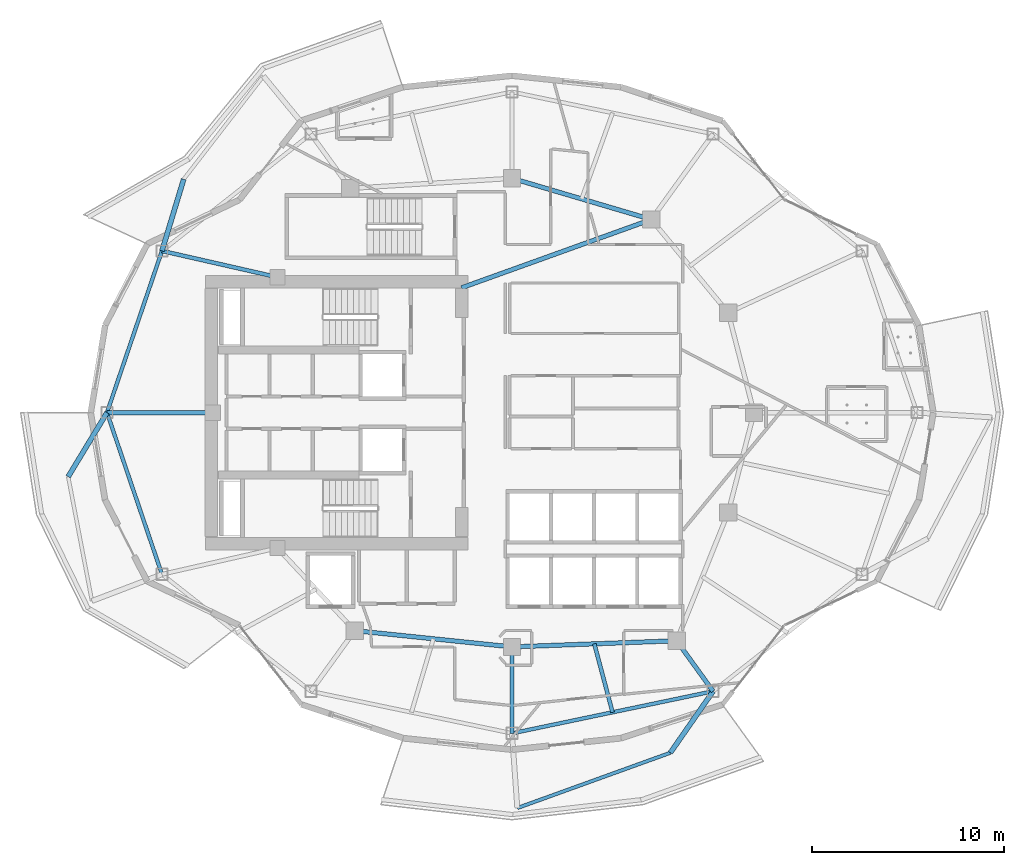
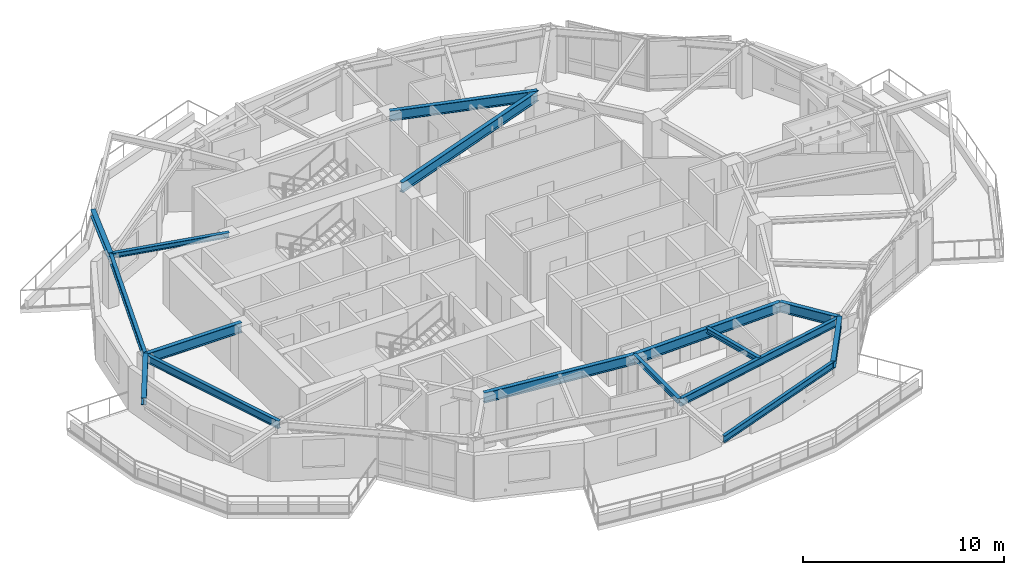
# One storey, part 3 of 19: 16 beams.
"""IFC4 building model written with IfcOpenShell, lengths in metres."""

from ifc_helpers import new_model, si_unit, direction, frame, origin, origin_2d, place, context, subcontext, project, spatial, i_section, extrude, material, material_profile, profile_set, type_object, element, save


model = new_model("IFC4")

# Units and contexts
model_context = context("Model", 3, precision=1e-05, world=origin(), true_north=direction((0.0, 1.0)))
body_context = subcontext(model_context, "Body", "Model", "MODEL_VIEW")
ifc_project = project(units=[si_unit("LENGTHUNIT", "METRE"), si_unit("AREAUNIT", "SQUARE_METRE"), si_unit("VOLUMEUNIT", "CUBIC_METRE"), si_unit("PLANEANGLEUNIT", "RADIAN"), si_unit("MASSUNIT", "GRAM", prefix="KILO")], contexts=[model_context])

# Site, building, storey
site_placement = place(None, origin())
site = spatial("IfcSite", under=ifc_project, at=site_placement, CompositionType="ELEMENT")
building_placement = place(site_placement, origin())
building = spatial("IfcBuilding", under=site, at=building_placement, Name="Kolvaren Gate Tower and Convention Centre", CompositionType="ELEMENT")
storey_placement = place(building_placement, frame((0.0, 0.0, 169.89990234375)))
storey = spatial("IfcBuildingStorey", under=building, at=storey_placement, Name="L44", CompositionType="ELEMENT", Elevation=169.89990234375)

# Beams
ifc_material = material(Name="Structural steel ASTM A992 Grade 345 MPa", Category="steel")
ifc_material_profile_1 = material_profile(ifc_material, i_section(OverallWidth=0.260009765625, OverallDepth=0.419921875, WebThickness=0.013427734375, FlangeThickness=0.0224609375, at=origin_2d()), Name="W410X132")
ifc_profile_set_1 = profile_set([ifc_material_profile_1], Name="Structural steel ASTM A992 Grade 345 MPa")
beam_type_1 = type_object("IfcBeamType", Name="STR-BM-W410X132", PredefinedType="BEAM", material=ifc_profile_set_1)
for number, where, z_axis, x_axis, name in (
    (1, (11.898193359375, 35.418701171875, 2.920654296875), (0.290155075149, 0.956979640518, 0.0), (-0.956979640518, 0.290155075149, 0.0), "Tower L45 Planted Balcony Outrigger Cantilever BC-1B"),
    (2, (9.03759765625, 27.0, 2.920654296875), (-0.51832946338, -0.855181014401, 0.0), (0.855181014401, -0.51832946338, 0.0), "Tower L45 Planted Balcony Outrigger Cantilever BC-2A"),
):
    element("IfcBeam", number, at=place(storey_placement, frame(where, z_axis=z_axis, x_axis=x_axis)), inside=storey, type_object=beam_type_1, Name=name, PredefinedType="BEAM", context=body_context, shape_type="SweptSolid", body=[
        extrude(i_section(OverallWidth=0.260009765625, OverallDepth=0.419921875, WebThickness=0.013427734375, FlangeThickness=0.0224609375, at=origin_2d()), origin(), (0.0, 0.0, 1.0), 3.89990234375),
    ])
beam_1_placement = place(storey_placement, frame((40.596435546875, 12.490478515625, 2.920654296875), z_axis=(-0.57084620656, -0.821057006825, 0.0), x_axis=(0.821057006825, -0.57084620656, 0.0)))
element("IfcBeam", 3, at=beam_1_placement, inside=storey, type_object=beam_type_1, Name="Tower L45 Planted Balcony Outrigger Cantilever BC-3B", PredefinedType="BEAM", context=body_context, shape_type="SweptSolid", body=[
    extrude(i_section(OverallWidth=0.260009765625, OverallDepth=0.419921875, WebThickness=0.013427734375, FlangeThickness=0.0224609375, at=origin_2d()), origin(), (0.0, 0.0, 1.0), 3.900146484375),
])
ifc_material_profile_2 = material_profile(ifc_material, i_section(OverallWidth=0.22998046875, OverallDepth=0.616943359375, WebThickness=0.01318359375, FlangeThickness=0.022216796875, at=origin_2d()), Name="W610X140")
ifc_profile_set_2 = profile_set([ifc_material_profile_2], Name="Structural steel ASTM A992 Grade 345 MPa")
beam_type_2 = type_object("IfcBeamType", Name="STR-BM-W610X140", PredefinedType="BEAM", material=ifc_profile_set_2)
beam_2_placement = place(storey_placement, frame((37.381591796875, 37.054931640625, 2.821533203125), z_axis=(-0.958980837827, 0.283470902706, 0.0), x_axis=(-0.283470902706, -0.958980837827, 0.0)))
element("IfcBeam", 4, at=beam_2_placement, inside=storey, type_object=beam_type_2, Name="Tower L44 Primary Ring Girder G-03", PredefinedType="BEAM", context=body_context, shape_type="SweptSolid", body=[
    extrude(i_section(OverallWidth=0.22998046875, OverallDepth=0.616943359375, WebThickness=0.01318359375, FlangeThickness=0.022216796875, at=origin_2d()), origin(), (0.0, 0.0, 1.0), 7.56689453125),
])
beam_3_placement = place(storey_placement, frame((21.93212890625, 15.647705078125, 2.821533203125), z_axis=(0.994690329115, -0.102913308978, 0.0), x_axis=(0.102913308978, 0.994690329115, 0.0)))
element("IfcBeam", 5, at=beam_3_placement, inside=storey, type_object=beam_type_2, Name="Tower L44 Primary Ring Girder G-07", PredefinedType="BEAM", context=body_context, shape_type="SweptSolid", body=[
    extrude(i_section(OverallWidth=0.22998046875, OverallDepth=0.616943359375, WebThickness=0.01318359375, FlangeThickness=0.022216796875, at=origin_2d()), origin(), (0.0, 0.0, 1.0), 8.236572265625),
])
beam_4_placement = place(storey_placement, frame((30.125, 14.800048828125, 2.821533203125), z_axis=(0.999301712453, 0.037364254142, 0.0), x_axis=(-0.037364254142, 0.999301712453, 0.0)))
element("IfcBeam", 6, at=beam_4_placement, inside=storey, type_object=beam_type_2, Name="Tower L44 Primary Ring Girder G-08", PredefinedType="BEAM", context=body_context, shape_type="SweptSolid", body=[
    extrude(i_section(OverallWidth=0.22998046875, OverallDepth=0.616943359375, WebThickness=0.01318359375, FlangeThickness=0.022216796875, at=origin_2d()), origin(), (0.0, 0.0, 1.0), 8.579345703125),
])
beam_5_placement = place(storey_placement, frame((27.5, 33.5, 2.821533203125), z_axis=(0.940961479908, 0.338513653093, 0.0), x_axis=(-0.338513653093, 0.940961479908, 0.0)))
element("IfcBeam", 7, at=beam_5_placement, inside=storey, type_object=beam_type_2, Name="Tower L44 Primary Ring Girder G-10", PredefinedType="BEAM", context=body_context, shape_type="SweptSolid", body=[
    extrude(i_section(OverallWidth=0.22998046875, OverallDepth=0.616943359375, WebThickness=0.01318359375, FlangeThickness=0.022216796875, at=origin_2d()), origin(), (0.0, 0.0, 1.0), 10.501708984375),
])
beam_6_placement = place(storey_placement, frame((14.550048828125, 27.0, 2.821533203125), z_axis=(-1.0, 0.0, 0.0), x_axis=(0.0, -1.0, 0.0)))
element("IfcBeam", 8, at=beam_6_placement, inside=storey, type_object=beam_type_2, Name="Tower L44 Radial Floor Girder RB-07", PredefinedType="BEAM", context=body_context, shape_type="SweptSolid", body=[
    extrude(i_section(OverallWidth=0.22998046875, OverallDepth=0.616943359375, WebThickness=0.01318359375, FlangeThickness=0.022216796875, at=origin_2d()), origin(), (0.0, 0.0, 1.0), 5.512451171875),
])
beam_7_placement = place(storey_placement, frame((38.6982421875, 15.12060546875, 2.821533203125), z_axis=(0.58521845229, -0.810875676722, 0.0), x_axis=(0.810875676722, 0.58521845229, 0.0)))
element("IfcBeam", 9, at=beam_7_placement, inside=storey, type_object=beam_type_2, Name="Tower L44 Radial Floor Girder RB-11", PredefinedType="BEAM", context=body_context, shape_type="SweptSolid", body=[
    extrude(i_section(OverallWidth=0.22998046875, OverallDepth=0.616943359375, WebThickness=0.01318359375, FlangeThickness=0.022216796875, at=origin_2d()), origin(), (0.0, 0.0, 1.0), 3.24365234375),
])
ifc_material_profile_3 = material_profile(ifc_material, i_section(OverallWidth=0.205078125, OverallDepth=0.31005859375, WebThickness=0.009521484375, FlangeThickness=0.016357421875, at=origin_2d()), Name="W310X74")
ifc_profile_set_3 = profile_set([ifc_material_profile_3], Name="Structural steel ASTM A992 Grade 345 MPa")
beam_type_3 = type_object("IfcBeamType", Name="STR-JS-W310X74", PredefinedType="JOIST", material=ifc_profile_set_3)
beam_8_placement = place(storey_placement, frame((17.9140625, 34.050048828125, 2.97509765625), z_axis=(-0.975083464295, 0.221838314226, 0.0), x_axis=(-0.221838314226, -0.975083464295, 0.0)))
element("IfcBeam", 10, at=beam_8_placement, inside=storey, type_object=beam_type_3, Name="Tower L44 Radial Floor Girder RB-06", PredefinedType="JOIST", context=body_context, shape_type="SweptSolid", body=[
    extrude(i_section(OverallWidth=0.205078125, OverallDepth=0.31005859375, WebThickness=0.009521484375, FlangeThickness=0.016357421875, at=origin_2d()), origin(), (0.0, 0.0, 1.0), 6.169677734375),
])
beam_9_placement = place(storey_placement, frame((30.125, 14.800048828125, 2.97509765625), z_axis=(0.0, -1.0, 0.0), x_axis=(1.0, 0.0, 0.0)))
element("IfcBeam", 11, at=beam_9_placement, inside=storey, type_object=beam_type_3, Name="Tower L44 Radial Floor Girder RB-10", PredefinedType="JOIST", context=body_context, shape_type="SweptSolid", body=[
    extrude(i_section(OverallWidth=0.205078125, OverallDepth=0.31005859375, WebThickness=0.009521484375, FlangeThickness=0.016357421875, at=origin_2d()), origin(), (0.0, 0.0, 1.0), 4.5),
])
beam_10_placement = place(storey_placement, frame((34.41162109375, 14.960205078125, 2.97509765625), z_axis=(0.257238365181, -0.966347982602, 0.0), x_axis=(0.966347982602, 0.257238365181, 0.0)))
element("IfcBeam", 12, at=beam_10_placement, inside=storey, type_object=beam_type_3, Name="Tower L44 Secondary Composite Floor Joist J-10.1", PredefinedType="JOIST", context=body_context, shape_type="SweptSolid", body=[
    extrude(i_section(OverallWidth=0.205078125, OverallDepth=0.31005859375, WebThickness=0.009521484375, FlangeThickness=0.016357421875, at=origin_2d()), origin(), (0.0, 0.0, 1.0), 3.68896484375),
])
ifc_material_profile_4 = material_profile(ifc_material, i_section(OverallWidth=0.180908203125, OverallDepth=0.4169921875, WebThickness=0.010986328125, FlangeThickness=0.018310546875, at=origin_2d()), Name="W410X85")
ifc_profile_set_4 = profile_set([ifc_material_profile_4], Name="Structural steel ASTM A992 Grade 345 MPa")
beam_type_4 = type_object("IfcBeamType", Name="STR-SP-W410X85", PredefinedType="SPANDREL", material=ifc_profile_set_4)
beam_11_placement = place(storey_placement, frame((30.40283203125, 6.409912109375, 2.922119140625), z_axis=(0.940503253062, 0.339784683263, 0.0), x_axis=(-0.339784683263, 0.940503253062, 0.0)))
element("IfcBeam", 13, at=beam_11_placement, inside=storey, type_object=beam_type_4, Name="Tower L45 Planted Balcony Header Tie Beam BT-3", PredefinedType="SPANDREL", context=body_context, shape_type="SweptSolid", body=[
    extrude(i_section(OverallWidth=0.180908203125, OverallDepth=0.4169921875, WebThickness=0.010986328125, FlangeThickness=0.018310546875, at=origin_2d()), origin(), (0.0, 0.0, 1.0), 8.47119140625),
])
ifc_material_profile_5 = material_profile(ifc_material, i_section(OverallWidth=0.194091796875, OverallDepth=0.468994140625, WebThickness=0.0126953125, FlangeThickness=0.0205078125, at=origin_2d()), Name="W460X106")
ifc_profile_set_5 = profile_set([ifc_material_profile_5], Name="Structural steel ASTM A992 Grade 345 MPa")
beam_type_5 = type_object("IfcBeamType", Name="STR-SP-W460X106", PredefinedType="SPANDREL", material=ifc_profile_set_5)
for number, where, z_axis, x_axis, name in (
    (14, (11.898193359375, 35.418701171875, 2.8955078125), (-0.321725023609, -0.946833147489, 0.0), (0.946833147489, -0.321725023609, 0.0), "Tower L44 Perimeter Spandrel Beam SP-06"),
    (15, (9.03759765625, 27.0, 2.8955078125), (0.321725023609, -0.946833147489, 0.0), (0.946833147489, 0.321725023609, 0.0), "Tower L44 Perimeter Spandrel Beam SP-07"),
):
    element("IfcBeam", number, at=place(storey_placement, frame(where, z_axis=z_axis, x_axis=x_axis)), inside=storey, type_object=beam_type_5, Name=name, PredefinedType="SPANDREL", context=body_context, shape_type="SweptSolid", body=[
        extrude(i_section(OverallWidth=0.194091796875, OverallDepth=0.468994140625, WebThickness=0.0126953125, FlangeThickness=0.0205078125, at=origin_2d()), origin(), (0.0, 0.0, 1.0), 8.891357421875),
    ])
beam_12_placement = place(storey_placement, frame((30.125, 10.300048828125, 2.8955078125), z_axis=(0.978814350133, 0.204749769168, 0.0), x_axis=(-0.204749769168, 0.978814350133, 0.0)))
element("IfcBeam", 16, at=beam_12_placement, inside=storey, type_object=beam_type_5, Name="Tower L44 Perimeter Spandrel Beam SP-10", PredefinedType="SPANDREL", context=body_context, shape_type="SweptSolid", body=[
    extrude(i_section(OverallWidth=0.194091796875, OverallDepth=0.468994140625, WebThickness=0.0126953125, FlangeThickness=0.0205078125, at=origin_2d()), origin(), (0.0, 0.0, 1.0), 10.697998046875),
])

save(model, "model.ifc")
